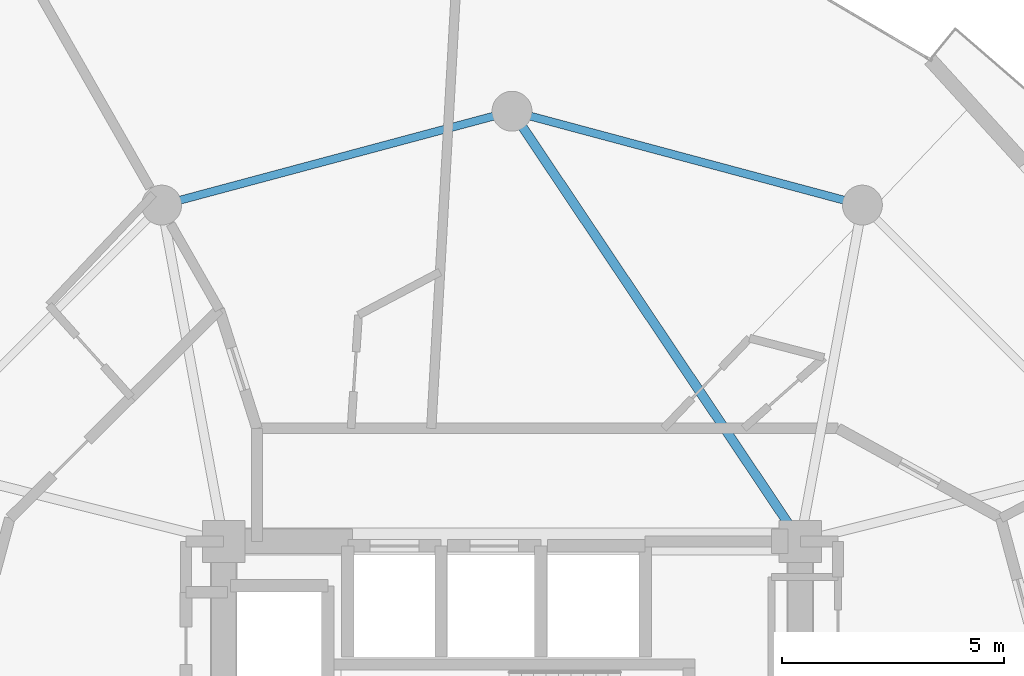
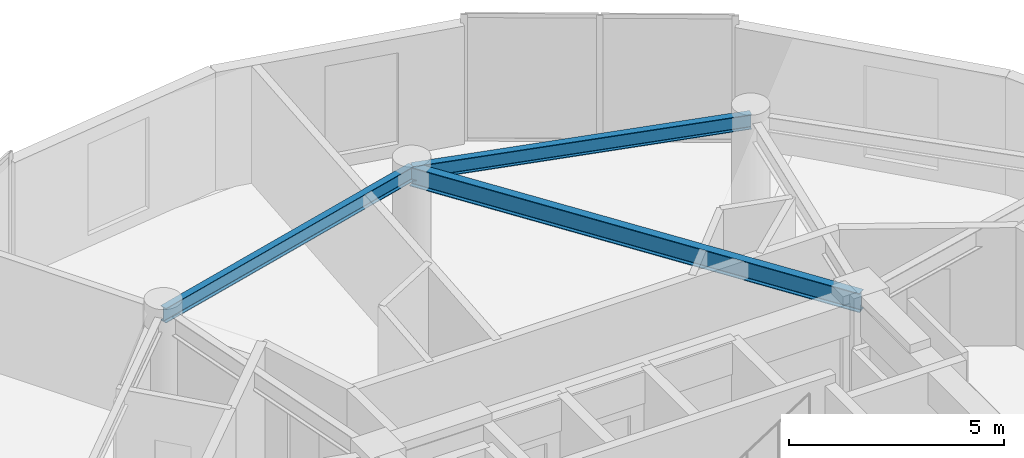
# One storey, part 14 of 21: 3 beams.
"""IFC4 building model written with IfcOpenShell, lengths in metres."""

from ifc_helpers import new_model, si_unit, direction, frame, origin, origin_2d, place, context, subcontext, project, spatial, i_section, extrude, material, material_profile, profile_set, type_object, element, save


model = new_model("IFC4")

# Units and contexts
model_context = context("Model", 3, precision=1e-05, world=origin(), true_north=direction((0.0, 1.0)))
body_context = subcontext(model_context, "Body", "Model", "MODEL_VIEW")
ifc_project = project(units=[si_unit("LENGTHUNIT", "METRE"), si_unit("AREAUNIT", "SQUARE_METRE"), si_unit("VOLUMEUNIT", "CUBIC_METRE"), si_unit("PLANEANGLEUNIT", "RADIAN"), si_unit("MASSUNIT", "GRAM", prefix="KILO")], contexts=[model_context])

# Site, building, storey
site_placement = place(None, origin())
site = spatial("IfcSite", under=ifc_project, at=site_placement, CompositionType="ELEMENT")
building_placement = place(site_placement, origin())
building = spatial("IfcBuilding", under=site, at=building_placement, Name="Solvirekh Grand Hotel", CompositionType="ELEMENT")
storey_placement = place(building_placement, frame((0.0, 0.0, 223.60009765625)))
storey = spatial("IfcBuildingStorey", under=building, at=storey_placement, Name="L58", CompositionType="ELEMENT", Elevation=223.60009765625)

# Beams
ifc_material = material(Name="Steel S355", Category="steel")
ifc_material_profile_1 = material_profile(ifc_material, i_section(OverallWidth=0.2119140625, OverallDepth=0.5439453125, WebThickness=0.011962890625, FlangeThickness=0.01904296875, FilletRadius=0.013916015625, at=origin_2d()), Name="W530X123")
ifc_profile_set_1 = profile_set([ifc_material_profile_1], Name="Steel S355")
beam_type_1 = type_object("IfcBeamType", Name="Beam_Radial_W530H", PredefinedType="BEAM", material=ifc_profile_set_1)
beam_placement = place(storey_placement, frame((6.5, 6.10009765625, 3.087890625), z_axis=(-0.556676926176, 0.830729077295, 0.0), x_axis=(-0.830729077295, -0.556676926176, 0.0)))
element("IfcBeam", 1, at=beam_placement, inside=storey, type_object=beam_type_1, Name="L58 radial floor beam R04", PredefinedType="BEAM", context=body_context, shape_type="SweptSolid", body=[
    extrude(i_section(OverallWidth=0.2119140625, OverallDepth=0.5439453125, WebThickness=0.011962890625, FlangeThickness=0.01904296875, FilletRadius=0.013916015625, at=origin_2d()), origin(), (0.0, 0.0, 1.0), 11.676513671875),
])
ifc_material_profile_2 = material_profile(ifc_material, i_section(OverallWidth=0.180908203125, OverallDepth=0.4169921875, WebThickness=0.010009765625, FlangeThickness=0.01611328125, FilletRadius=0.011962890625, at=origin_2d()), Name="W410X85")
ifc_profile_set_2 = profile_set([ifc_material_profile_2], Name="Steel S355")
beam_type_2 = type_object("IfcBeamType", Name="Spandrel_Ring_W410", PredefinedType="SPANDREL", material=ifc_profile_set_2)
for number, where, z_axis, x_axis, name in (
    (2, (7.89990234375, 13.68310546875, 3.15185546875), (-0.965920601923, 0.258838541915, 0.0), (-0.258838541915, -0.965920601923, 0.0), "L58 perimeter spandrel beam 3"),
    (3, (0.0, 15.800048828125, 3.15185546875), (-0.965920601923, -0.258838541915, 0.0), (0.258838541915, -0.965920601923, 0.0), "L58 perimeter spandrel beam 4"),
):
    element("IfcBeam", number, at=place(storey_placement, frame(where, z_axis=z_axis, x_axis=x_axis)), inside=storey, type_object=beam_type_2, Name=name, PredefinedType="SPANDREL", context=body_context, shape_type="SweptSolid", body=[
        extrude(i_section(OverallWidth=0.180908203125, OverallDepth=0.4169921875, WebThickness=0.010009765625, FlangeThickness=0.01611328125, FilletRadius=0.011962890625, at=origin_2d()), origin(), (0.0, 0.0, 1.0), 8.1787109375),
    ])

save(model, "model.ifc")
